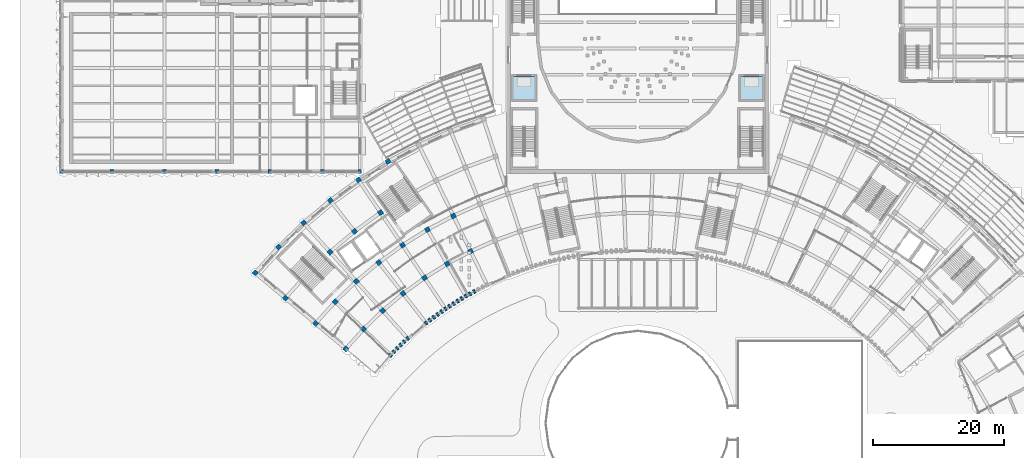
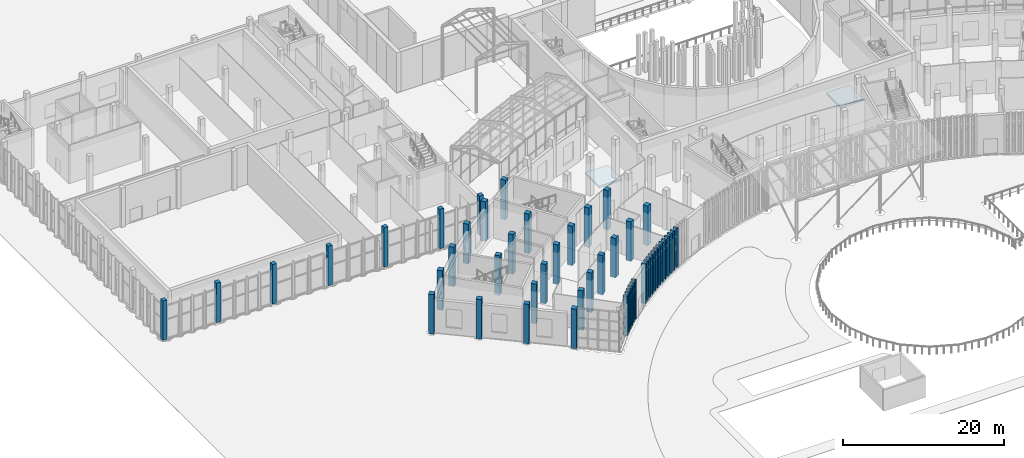
# One storey, part 1 of 155: 50 columns, 2 footings.
"""IFC4 building model written with IfcOpenShell, lengths in metres."""

from ifc_helpers import new_model, si_unit, direction, frame, origin, origin_2d, place, context, subcontext, project, spatial, polyline, rectangle, outline, extrude, material, material_profile, profile_set, type_object, element, save


model = new_model("IFC4")

# Units and contexts
model_context = context("Model", 3, precision=1e-05, world=origin(), true_north=direction((0.0, 1.0)))
body_context = subcontext(model_context, "Body", "Model", "MODEL_VIEW")
ifc_project = project(units=[si_unit("LENGTHUNIT", "METRE"), si_unit("AREAUNIT", "SQUARE_METRE"), si_unit("VOLUMEUNIT", "CUBIC_METRE"), si_unit("PLANEANGLEUNIT", "RADIAN"), si_unit("MASSUNIT", "GRAM", prefix="KILO")], contexts=[model_context])

# Site, building, storey
site_placement = place(None, origin())
site = spatial("IfcSite", under=ifc_project, at=site_placement, CompositionType="ELEMENT")
building_placement = place(site_placement, origin())
building = spatial("IfcBuilding", under=site, at=building_placement, Name="Lunette Opera House", CompositionType="ELEMENT")
storey_placement = place(building_placement, origin())
storey = spatial("IfcBuildingStorey", under=building, at=storey_placement, Name="L00", CompositionType="ELEMENT", Elevation=0.0)

# Footings
ifc_material_1 = material(Name="Concrete C35/45", Category="concrete")
footing_type = type_object("IfcFootingType", Name="LIFT PIT FLOOR 300", PredefinedType="PAD_FOOTING", material=ifc_material_1)
footing_1_placement = place(storey_placement, frame((0.0, 0.0, -7.89990234375)))
element("IfcFooting", 1, at=footing_1_placement, inside=storey, type_object=footing_type, Name="LF3 pit floor", PredefinedType="PAD_FOOTING", context=body_context, shape_type="SweptSolid", body=[
    extrude(outline(polyline([(114.949951171875, 75.25), (111.64990234375, 75.25), (111.64990234375, 78.75), (114.949951171875, 78.75), (114.949951171875, 75.25)])), origin(), (0.0, 0.0, 1.0), 0.2998046875),
])
footing_2_placement = place(storey_placement, frame((0.0, 0.0, -7.89990234375)))
element("IfcFooting", 2, at=footing_2_placement, inside=storey, type_object=footing_type, Name="LF4 pit floor", PredefinedType="PAD_FOOTING", context=body_context, shape_type="SweptSolid", body=[
    extrude(outline(polyline([(80.35009765625, 75.25), (77.050048828125, 75.25), (77.050048828125, 78.75), (80.35009765625, 78.75), (80.35009765625, 75.25)])), origin(), (0.0, 0.0, 1.0), 0.2998046875),
])

# Columns
ifc_material_2 = material(Name="Concrete C40/50", Category="concrete")
ifc_material_profile_1 = material_profile(ifc_material_2, rectangle(XDim=0.300048828125, YDim=0.60009765625, at=origin_2d()), Name="PIER 300X600")
ifc_profile_set_1 = profile_set([ifc_material_profile_1], Name="Concrete C40/50")
column_type_1 = type_object("IfcColumnType", Name="PIER 300X600", PredefinedType="COLUMN", material=ifc_profile_set_1)
for number, where, z_axis, x_axis, name in (
    (3, (58.37890625, 36.3310546875, 0.0), (0.0, 0.0, 1.0), (0.694658370459, 0.719339800339, 0.0), "col-FC-L00-P001"),
    (4, (58.888916015625, 36.85205078125, 0.0), (0.0, 0.0, 1.0), (0.704634209964, 0.709570736537, 0.0), "col-FC-L00-P002"),
    (5, (59.407958984375, 37.366943359375, 0.0), (0.0, 0.0, 1.0), (0.714472679633, 0.699663340513, 0.0), "col-FC-L00-P003"),
    (6, (59.93310546875, 37.8740234375, 0.0), (0.0, 0.0, 1.0), (0.724171861437, 0.689619543736, 0.0), "col-FC-L00-P004"),
    (7, (60.465087890625, 38.3740234375, 0.0), (0.0, 0.0, 1.0), (0.733729864503, 0.679441304262, 0.0), "col-FC-L00-P005"),
    (8, (61.00390625, 38.865966796875, 0.0), (0.0, 0.0, 1.0), (0.743144825477, 0.669130606359, 0.0), "col-FC-L00-P006"),
    (9, (63.801025390625, 41.212890625, 0.0), (0.0, 0.0, 1.0), (0.788010753607, 0.615661475326, 0.0), "col-FC-L00-P007"),
    (10, (64.37890625, 41.658935546875, 0.0), (0.0, 0.0, 1.0), (0.796529918024, 0.604599114862, 0.0), "col-FC-L00-P008"),
    (11, (64.964111328125, 42.095947265625, 0.0), (0.0, 0.0, 1.0), (0.804893797356, 0.593418886604, 0.0), "col-FC-L00-P009"),
    (12, (65.554931640625, 42.52490234375, 0.0), (0.0, 0.0, 1.0), (0.813100761047, 0.582122970157, 0.0), "col-FC-L00-P010"),
    (13, (66.152099609375, 42.946044921875, 0.0), (0.0, 0.0, 1.0), (0.821149209134, 0.570713567684, 0.0), "col-FC-L00-P011"),
    (14, (66.75390625, 43.35888671875, 0.0), (0.0, 0.0, 1.0), (0.829037572555, 0.559192903471, 0.0), "col-FC-L00-P012"),
    (15, (67.362060546875, 43.762939453125, 0.0), (0.0, 0.0, 1.0), (0.836764313459, 0.547563223493, 0.0), "col-FC-L00-P013"),
    (16, (67.97607421875, 44.157958984375, 0.0), (0.0, 0.0, 1.0), (0.844327925502, 0.535826794979, 0.0), "col-FC-L00-P014"),
    (17, (68.595947265625, 44.544921875, 0.0), (0.0, 0.0, 1.0), (0.851726934143, 0.52398590597, 0.0), "col-FC-L00-P015"),
    (18, (69.219970703125, 44.924072265625, 0.0), (0.0, 0.0, 1.0), (0.858959896931, 0.512042864871, 0.0), "col-FC-L00-P016"),
    (19, (69.85009765625, 45.29296875, 0.0), (0.0, 0.0, 1.0), (0.866025403784, 0.5, 0.0), "col-FC-L00-P017"),
    (20, (70.485107421875, 45.654052734375, 0.0), (0.0, 0.0, 1.0), (0.87292207727, 0.487859659139, 0.0), "col-FC-L00-P018"),
    (21, (71.125, 46.006103515625, 0.0), (0.0, 0.0, 1.0), (0.879648572867, 0.47562420907, 0.0), "col-FC-L00-P019"),
):
    element("IfcColumn", number, at=place(storey_placement, frame(where, z_axis=z_axis, x_axis=x_axis)), inside=storey, type_object=column_type_1, Name=name, PredefinedType="COLUMN", context=body_context, shape_type="SweptSolid", body=[
        extrude(rectangle(XDim=0.300048828125, YDim=0.60009765625, at=origin_2d()), origin(), (0.0, 0.0, 1.0), 6.0),
    ])
ifc_material_3 = material(Name="Concrete C35/45", Category="concrete")
ifc_material_profile_2 = material_profile(ifc_material_3, rectangle(XDim=0.60009765625, YDim=0.60009765625, at=origin_2d()), Name="RC COLUMN 600X600")
ifc_profile_set_2 = profile_set([ifc_material_profile_2], Name="Concrete C35/45")
column_type_2 = type_object("IfcColumnType", Name="RC COLUMN 600X600", PredefinedType="COLUMN", material=ifc_profile_set_2)
for number, where, z_axis, x_axis, name in (
    (22, (8.300048828125, 64.300048828125, 0.0), (0.0, 0.0, 1.0), (1.0, 0.0, 0.0), "col-RW-L00-C00"),
    (23, (16.0, 64.300048828125, 0.0), (0.0, 0.0, 1.0), (1.0, 0.0, 0.0), "col-RW-L00-C10"),
    (24, (24.0, 64.300048828125, 0.0), (0.0, 0.0, 1.0), (1.0, 0.0, 0.0), "col-RW-L00-C20"),
    (25, (32.0, 64.300048828125, 0.0), (0.0, 0.0, 1.0), (1.0, 0.0, 0.0), "col-RW-L00-C30"),
    (26, (40.0, 64.300048828125, 0.0), (0.0, 0.0, 1.0), (1.0, 0.0, 0.0), "col-RW-L00-C40"),
    (27, (48.0, 64.300048828125, 0.0), (0.0, 0.0, 1.0), (1.0, 0.0, 0.0), "col-RW-L00-C50"),
    (28, (53.699951171875, 64.300048828125, 0.0), (0.0, 0.0, 1.0), (1.0, 0.0, 0.0), "col-RW-L00-C60"),
):
    element("IfcColumn", number, at=place(storey_placement, frame(where, z_axis=z_axis, x_axis=x_axis)), inside=storey, type_object=column_type_2, Name=name, PredefinedType="COLUMN", context=body_context, shape_type="SweptSolid", body=[
        extrude(rectangle(XDim=0.60009765625, YDim=0.60009765625, at=origin_2d()), origin(), (0.0, 0.0, 1.0), 6.0),
    ])
ifc_material_4 = material(Name="Concrete C35/45", Category="concrete")
ifc_material_profile_3 = material_profile(ifc_material_4, rectangle(XDim=0.699951171875, YDim=0.699951171875, at=origin_2d()), Name="RC COLUMN 700X700")
ifc_profile_set_3 = profile_set([ifc_material_profile_3], Name="Concrete C35/45")
column_type_3 = type_object("IfcColumnType", Name="RC COLUMN 700X700", PredefinedType="COLUMN", material=ifc_profile_set_3)
for number, where, z_axis, x_axis, name in (
    (29, (51.569091796875, 37.281982421875, 0.0), (0.0, 0.0, 1.0), (0.642787609687, 0.766044443119, 0.0), "col-FC-L00-AR-M1-RL-01"),
    (30, (54.278076171875, 40.2900390625, 0.0), (0.0, 0.0, 1.0), (0.694658370459, 0.719339800339, 0.0), "col-FC-L00-AR-M1-RL-02"),
    (31, (57.18994140625, 43.10205078125, 0.0), (0.0, 0.0, 1.0), (0.743144825477, 0.669130606359, 0.0), "col-FC-L00-AR-M1-RL-03"),
    (32, (60.2919921875, 45.705078125, 0.0), (0.0, 0.0, 1.0), (0.788010753607, 0.615661475326, 0.0), "col-FC-L00-AR-M1-RL-04"),
    (33, (63.56689453125, 48.083984375, 0.0), (0.0, 0.0, 1.0), (0.829037572555, 0.559192903471, 0.0), "col-FC-L00-AR-M1-RL-05"),
    (34, (67.0, 50.22900390625, 0.0), (0.0, 0.0, 1.0), (0.866025403784, 0.5, 0.0), "col-FC-L00-AR-M1-RL-06"),
    (35, (70.573974609375, 52.1298828125, 0.0), (0.0, 0.0, 1.0), (0.898794046299, 0.438371146789, 0.0), "col-FC-L00-AR-M1-RL-07"),
    (36, (46.972900390625, 41.137939453125, 0.0), (0.0, 0.0, 1.0), (0.642787609687, 0.766044443119, 0.0), "col-FC-L00-AR-B-RL-01"),
    (37, (49.9619140625, 44.4580078125, 0.0), (0.0, 0.0, 1.0), (0.694658370459, 0.719339800339, 0.0), "col-FC-L00-AR-B-RL-02"),
    (38, (53.176025390625, 47.56103515625, 0.0), (0.0, 0.0, 1.0), (0.743144825477, 0.669130606359, 0.0), "col-FC-L00-AR-B-RL-03"),
    (39, (56.597900390625, 50.43310546875, 0.0), (0.0, 0.0, 1.0), (0.788010753607, 0.615661475326, 0.0), "col-FC-L00-AR-B-RL-04"),
    (40, (60.2119140625, 53.05810546875, 0.0), (0.0, 0.0, 1.0), (0.829037572555, 0.559192903471, 0.0), "col-FC-L00-AR-B-RL-05"),
    (41, (64.0, 55.426025390625, 0.0), (0.0, 0.0, 1.0), (0.866025403784, 0.5, 0.0), "col-FC-L00-AR-B-RL-06"),
    (42, (67.944091796875, 57.52294921875, 0.0), (0.0, 0.0, 1.0), (0.898794046299, 0.438371146789, 0.0), "col-FC-L00-AR-B-RL-07"),
    (43, (42.376953125, 44.9951171875, 0.0), (0.0, 0.0, 1.0), (0.642787609687, 0.766044443119, 0.0), "col-FC-L00-AR-M2-RL-01"),
    (44, (49.160888671875, 52.02001953125, 0.0), (0.0, 0.0, 1.0), (0.743144825477, 0.669130606359, 0.0), "col-FC-L00-AR-M2-RL-03"),
    (45, (52.904052734375, 55.160888671875, 0.0), (0.0, 0.0, 1.0), (0.788010753607, 0.615661475326, 0.0), "col-FC-L00-AR-M2-RL-04"),
    (46, (56.85595703125, 58.032958984375, 0.0), (0.0, 0.0, 1.0), (0.829037572555, 0.559192903471, 0.0), "col-FC-L00-AR-M2-RL-05"),
    (47, (37.781005859375, 48.85205078125, 0.0), (0.0, 0.0, 1.0), (0.642787609687, 0.766044443119, 0.0), "col-FC-L00-AR-C-RL-01"),
    (48, (41.330078125, 52.7939453125, 0.0), (0.0, 0.0, 1.0), (0.694658370459, 0.719339800339, 0.0), "col-FC-L00-AR-C-RL-02"),
    (49, (45.14599609375, 56.47900390625, 0.0), (0.0, 0.0, 1.0), (0.743144825477, 0.669130606359, 0.0), "col-FC-L00-AR-C-RL-03"),
    (50, (49.2099609375, 59.888916015625, 0.0), (0.0, 0.0, 1.0), (0.788010753607, 0.615661475326, 0.0), "col-FC-L00-AR-C-RL-04"),
    (51, (53.5009765625, 63.007080078125, 0.0), (0.0, 0.0, 1.0), (0.829037572555, 0.559192903471, 0.0), "col-FC-L00-AR-C-RL-05"),
    (52, (58.0, 65.818115234375, 0.0), (0.0, 0.0, 1.0), (0.866025403784, 0.5, 0.0), "col-FC-L00-AR-C-RL-06"),
):
    element("IfcColumn", number, at=place(storey_placement, frame(where, z_axis=z_axis, x_axis=x_axis)), inside=storey, type_object=column_type_3, Name=name, PredefinedType="COLUMN", context=body_context, shape_type="SweptSolid", body=[
        extrude(rectangle(XDim=0.699951171875, YDim=0.699951171875, at=origin_2d()), origin(), (0.0, 0.0, 1.0), 6.0),
    ])

save(model, "model.ifc")
